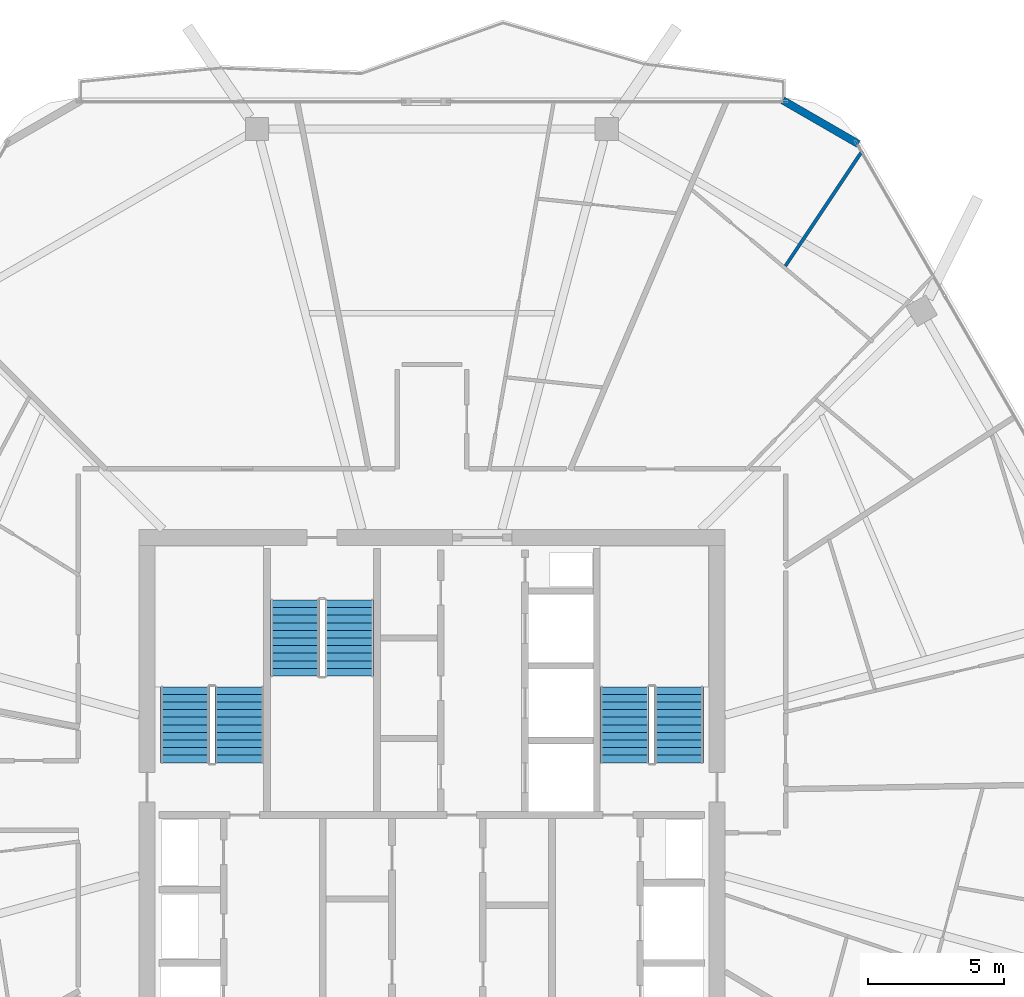
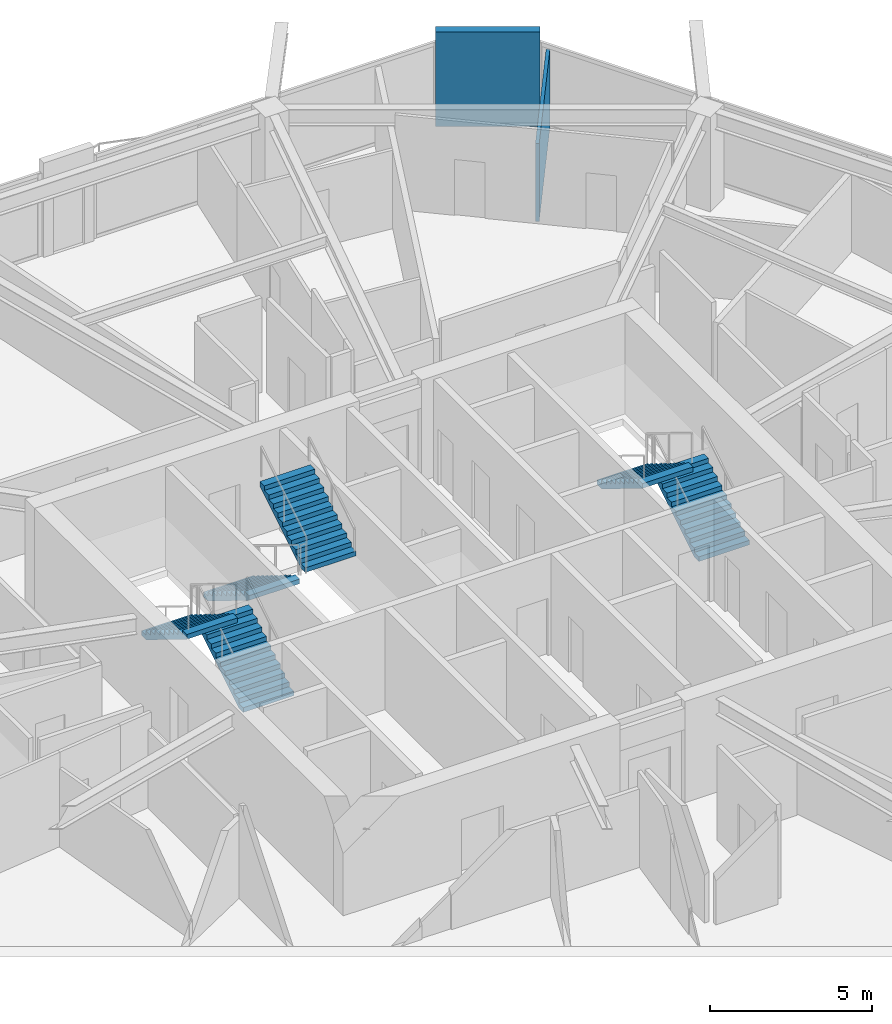
# One storey, part 24 of 26: 6 stair flights, 2 walls, 3 elements without a shape of their own.
"""IFC4 building model written with IfcOpenShell, lengths in metres."""

from ifc_helpers import new_model, si_unit, direction, frame, frame_2d, origin, place, context, subcontext, project, spatial, polyline, rectangle, outline, extrude, material, layer, layer_set, type_object, element, aggregate, save


model = new_model("IFC4")

# Units and contexts
model_context = context("Model", 3, precision=1e-05, world=origin(), true_north=direction((0.0, 1.0)))
body_context = subcontext(model_context, "Body", "Model", "MODEL_VIEW")
ifc_project = project(units=[si_unit("LENGTHUNIT", "METRE"), si_unit("AREAUNIT", "SQUARE_METRE"), si_unit("VOLUMEUNIT", "CUBIC_METRE"), si_unit("PLANEANGLEUNIT", "RADIAN"), si_unit("MASSUNIT", "GRAM", prefix="KILO")], contexts=[model_context])

# Site, building, storey
site_placement = place(None, origin())
site = spatial("IfcSite", under=ifc_project, at=site_placement, CompositionType="ELEMENT")
building_placement = place(site_placement, origin())
building = spatial("IfcBuilding", under=site, at=building_placement, Name="Zuhravey Tower", CompositionType="ELEMENT")
storey_placement = place(building_placement, frame((0.0, 0.0, 288.199951171875)))
storey = spatial("IfcBuildingStorey", under=building, at=storey_placement, Name="L73", CompositionType="ELEMENT", Elevation=288.199951171875)

# Walls
ifc_material_1 = material(Name="Precast concrete C40/50", Category="concrete")
ifc_layer_1 = layer(ifc_material_1, 0.280029296875)
ifc_layer_set_1 = layer_set([ifc_layer_1], Name="Precast concrete C40/50")
wall_type_1 = type_object("IfcWallType", Name="Crown Architectural Wall 280", PredefinedType="SOLIDWALL", material=ifc_layer_set_1)
wall_1_placement = place(storey_placement, frame((48.930419921875, 57.611083984375, 0.0), z_axis=(0.0, 0.0, 1.0), x_axis=(0.866028773314, -0.499994163758, 0.0)))
element("IfcWall", 1, at=wall_1_placement, inside=storey, type_object=wall_type_1, Name="L73 Rounded Corner Closure Wall EW28-10", PredefinedType="SOLIDWALL", context=body_context, shape_type="SweptSolid", body=[
    extrude(rectangle(XDim=3.21484375, YDim=0.280029296875, at=frame_2d((1.607421875, 0.0))), origin(), (0.0, 0.0, 1.0), 3.550048828125),
])
ifc_material_2 = material(Name="Gypsum metal-stud partition")
ifc_layer_2 = layer(ifc_material_2, 0.1201171875)
ifc_layer_set_2 = layer_set([ifc_layer_2], Name="Gypsum metal-stud partition")
wall_type_2 = type_object("IfcWallType", Name="Unit Internal Partition 120", PredefinedType="PARTITIONING", material=ifc_layer_set_2)
wall_2_placement = place(storey_placement, frame((49.024658203125, 51.50732421875, 0.0), z_axis=(0.0, 0.0, 1.0), x_axis=(0.555254005254, 0.83168082198, 0.0)))
element("IfcWall", 2, at=wall_2_placement, inside=storey, type_object=wall_type_2, Name="L73 IW12 Partition 097", PredefinedType="PARTITIONING", context=body_context, shape_type="SweptSolid", body=[
    extrude(rectangle(XDim=5.08544921875, YDim=0.1201171875, at=frame_2d((2.542724609375, 0.0))), origin(), (0.0, 0.0, 1.0), 2.929931640625),
])

# Stair, stair flights
ifc_material_3 = material(Name="Concrete C40/50", Category="concrete")
stair_type = type_object("IfcStairType", Name="Housing Storey Stair Assembly 3800", PredefinedType="HALF_TURN_STAIR", material=ifc_material_3)
stair_1_placement = place(storey_placement, origin())
stair_1 = element("IfcStair", 3, at=stair_1_placement, inside=storey, type_object=stair_type, Name="L73 Core Exit Stair ST1", PredefinedType="HALF_TURN_STAIR")
stair_flight_type = type_object("IfcStairFlightType", Name="Housing Storey Stair Flight 3800", PredefinedType="STRAIGHT", material=ifc_material_3)
stair_flight_1_placement = place(storey_placement, frame((28.89990234375, 33.199951171875, 0.0), z_axis=(0.0, 0.0, 1.0), x_axis=(0.0, 1.0, 0.0)))
stair_flight_1 = element("IfcStairFlight", 4, at=stair_flight_1_placement, type_object=stair_flight_type, Name="ST1 flight 1", NumberOfRisers=11, NumberOfTreads=10, PredefinedType="STRAIGHT", RiserHeight=0.172727273, TreadLength=0.28, context=body_context, shape_type="SweptSolid", body=[
    extrude(outline(polyline([(0.0, 0.0), (0.0, 0.172607421875), (0.280029296875, 0.172607421875), (0.280029296875, 0.345458984375), (0.56005859375, 0.345458984375), (0.56005859375, 0.51806640625), (0.840087890625, 0.51806640625), (0.840087890625, 0.69091796875), (1.1201171875, 0.69091796875), (1.1201171875, 0.863525390625), (1.39990234375, 0.863525390625), (1.39990234375, 1.036376953125), (1.679931640625, 1.036376953125), (1.679931640625, 1.208984375), (1.9599609375, 1.208984375), (1.9599609375, 1.3818359375), (2.239990234375, 1.3818359375), (2.239990234375, 1.554443359375), (2.52001953125, 1.554443359375), (2.52001953125, 1.727294921875), (2.800048828125, 1.727294921875), (2.800048828125, 1.89990234375), (2.800048828125, 1.551025390625), (0.285400390625, 0.0), (0.0, 0.0)])), frame((0.0, 0.89990234375, 0.0), z_axis=(0.0, -1.0, 0.0), x_axis=(1.0, 0.0, 0.0)), (0.0, 0.0, 1.0), 1.800048828125),
])
stair_flight_2_placement = place(storey_placement, frame((26.89990234375, 36.0, 1.900146484375), z_axis=(0.0, 0.0, 1.0), x_axis=(0.0, -1.0, 0.0)))
stair_flight_2 = element("IfcStairFlight", 5, at=stair_flight_2_placement, type_object=stair_flight_type, Name="ST1 flight 2", NumberOfRisers=11, NumberOfTreads=10, PredefinedType="STRAIGHT", RiserHeight=0.172727273, TreadLength=0.28, context=body_context, shape_type="SweptSolid", body=[
    extrude(outline(polyline([(0.0, 0.0), (0.0, 0.172607421875), (0.280029296875, 0.172607421875), (0.280029296875, 0.345458984375), (0.56005859375, 0.345458984375), (0.56005859375, 0.51806640625), (0.840087890625, 0.51806640625), (0.840087890625, 0.69091796875), (1.1201171875, 0.69091796875), (1.1201171875, 0.863525390625), (1.39990234375, 0.863525390625), (1.39990234375, 1.036376953125), (1.679931640625, 1.036376953125), (1.679931640625, 1.208984375), (1.9599609375, 1.208984375), (1.9599609375, 1.3818359375), (2.239990234375, 1.3818359375), (2.239990234375, 1.554443359375), (2.52001953125, 1.554443359375), (2.52001953125, 1.727294921875), (2.800048828125, 1.727294921875), (2.800048828125, 1.89990234375), (2.800048828125, 1.551025390625), (0.285400390625, 0.0), (0.0, 0.0)])), frame((0.0, 0.89990234375, 0.0), z_axis=(0.0, -1.0, 0.0), x_axis=(1.0, 0.0, 0.0)), (0.0, 0.0, 1.0), 1.800048828125),
])
aggregate(stair_1, [stair_flight_1, stair_flight_2])

stair_2_placement = place(storey_placement, origin())
stair_2 = element("IfcStair", 6, at=stair_2_placement, inside=storey, type_object=stair_type, Name="L73 Core Exit Stair ST2", PredefinedType="HALF_TURN_STAIR")
stair_flight_3_placement = place(storey_placement, frame((45.10009765625, 33.199951171875, 0.0), z_axis=(0.0, 0.0, 1.0), x_axis=(0.0, 1.0, 0.0)))
stair_flight_3 = element("IfcStairFlight", 7, at=stair_flight_3_placement, type_object=stair_flight_type, Name="ST2 flight 1", NumberOfRisers=11, NumberOfTreads=10, PredefinedType="STRAIGHT", RiserHeight=0.172727273, TreadLength=0.28, context=body_context, shape_type="SweptSolid", body=[
    extrude(outline(polyline([(0.0, 0.0), (0.0, 0.172607421875), (0.280029296875, 0.172607421875), (0.280029296875, 0.345458984375), (0.56005859375, 0.345458984375), (0.56005859375, 0.51806640625), (0.840087890625, 0.51806640625), (0.840087890625, 0.69091796875), (1.1201171875, 0.69091796875), (1.1201171875, 0.863525390625), (1.39990234375, 0.863525390625), (1.39990234375, 1.036376953125), (1.679931640625, 1.036376953125), (1.679931640625, 1.208984375), (1.9599609375, 1.208984375), (1.9599609375, 1.3818359375), (2.239990234375, 1.3818359375), (2.239990234375, 1.554443359375), (2.52001953125, 1.554443359375), (2.52001953125, 1.727294921875), (2.800048828125, 1.727294921875), (2.800048828125, 1.89990234375), (2.800048828125, 1.551025390625), (0.285400390625, 0.0), (0.0, 0.0)])), frame((0.0, 0.89990234375, 0.0), z_axis=(0.0, -1.0, 0.0), x_axis=(1.0, 0.0, 0.0)), (0.0, 0.0, 1.0), 1.800048828125),
])
stair_flight_4_placement = place(storey_placement, frame((43.10009765625, 36.0, 1.900146484375), z_axis=(0.0, 0.0, 1.0), x_axis=(0.0, -1.0, 0.0)))
stair_flight_4 = element("IfcStairFlight", 8, at=stair_flight_4_placement, type_object=stair_flight_type, Name="ST2 flight 2", NumberOfRisers=11, NumberOfTreads=10, PredefinedType="STRAIGHT", RiserHeight=0.172727273, TreadLength=0.28, context=body_context, shape_type="SweptSolid", body=[
    extrude(outline(polyline([(0.0, 0.0), (0.0, 0.172607421875), (0.280029296875, 0.172607421875), (0.280029296875, 0.345458984375), (0.56005859375, 0.345458984375), (0.56005859375, 0.51806640625), (0.840087890625, 0.51806640625), (0.840087890625, 0.69091796875), (1.1201171875, 0.69091796875), (1.1201171875, 0.863525390625), (1.39990234375, 0.863525390625), (1.39990234375, 1.036376953125), (1.679931640625, 1.036376953125), (1.679931640625, 1.208984375), (1.9599609375, 1.208984375), (1.9599609375, 1.3818359375), (2.239990234375, 1.3818359375), (2.239990234375, 1.554443359375), (2.52001953125, 1.554443359375), (2.52001953125, 1.727294921875), (2.800048828125, 1.727294921875), (2.800048828125, 1.89990234375), (2.800048828125, 1.551025390625), (0.285400390625, 0.0), (0.0, 0.0)])), frame((0.0, 0.89990234375, 0.0), z_axis=(0.0, -1.0, 0.0), x_axis=(1.0, 0.0, 0.0)), (0.0, 0.0, 1.0), 1.800048828125),
])
aggregate(stair_2, [stair_flight_3, stair_flight_4])

stair_3_placement = place(storey_placement, origin())
stair_3 = element("IfcStair", 9, at=stair_3_placement, inside=storey, type_object=stair_type, Name="L73 Core Exit Stair ST3", PredefinedType="HALF_TURN_STAIR")
stair_flight_5_placement = place(storey_placement, frame((30.949951171875, 39.199951171875, 0.0), z_axis=(0.0, 0.0, 1.0), x_axis=(0.0, -1.0, 0.0)))
stair_flight_5 = element("IfcStairFlight", 10, at=stair_flight_5_placement, type_object=stair_flight_type, Name="ST3 flight 1", NumberOfRisers=11, NumberOfTreads=10, PredefinedType="STRAIGHT", RiserHeight=0.172727273, TreadLength=0.28, context=body_context, shape_type="SweptSolid", body=[
    extrude(outline(polyline([(0.0, 0.0), (0.0, 0.172607421875), (0.280029296875, 0.172607421875), (0.280029296875, 0.345458984375), (0.56005859375, 0.345458984375), (0.56005859375, 0.51806640625), (0.840087890625, 0.51806640625), (0.840087890625, 0.69091796875), (1.1201171875, 0.69091796875), (1.1201171875, 0.863525390625), (1.39990234375, 0.863525390625), (1.39990234375, 1.036376953125), (1.679931640625, 1.036376953125), (1.679931640625, 1.208984375), (1.9599609375, 1.208984375), (1.9599609375, 1.3818359375), (2.239990234375, 1.3818359375), (2.239990234375, 1.554443359375), (2.52001953125, 1.554443359375), (2.52001953125, 1.727294921875), (2.800048828125, 1.727294921875), (2.800048828125, 1.89990234375), (2.800048828125, 1.551025390625), (0.285400390625, 0.0), (0.0, 0.0)])), frame((0.0, 0.89990234375, 0.0), z_axis=(0.0, -1.0, 0.0), x_axis=(1.0, 0.0, 0.0)), (0.0, 0.0, 1.0), 1.800048828125),
])
stair_flight_6_placement = place(storey_placement, frame((32.949951171875, 36.39990234375, 1.900146484375), z_axis=(0.0, 0.0, 1.0), x_axis=(0.0, 1.0, 0.0)))
stair_flight_6 = element("IfcStairFlight", 11, at=stair_flight_6_placement, type_object=stair_flight_type, Name="ST3 flight 2", NumberOfRisers=11, NumberOfTreads=10, PredefinedType="STRAIGHT", RiserHeight=0.172727273, TreadLength=0.28, context=body_context, shape_type="SweptSolid", body=[
    extrude(outline(polyline([(0.0, 0.0), (0.0, 0.172607421875), (0.280029296875, 0.172607421875), (0.280029296875, 0.345458984375), (0.56005859375, 0.345458984375), (0.56005859375, 0.51806640625), (0.840087890625, 0.51806640625), (0.840087890625, 0.69091796875), (1.1201171875, 0.69091796875), (1.1201171875, 0.863525390625), (1.39990234375, 0.863525390625), (1.39990234375, 1.036376953125), (1.679931640625, 1.036376953125), (1.679931640625, 1.208984375), (1.9599609375, 1.208984375), (1.9599609375, 1.3818359375), (2.239990234375, 1.3818359375), (2.239990234375, 1.554443359375), (2.52001953125, 1.554443359375), (2.52001953125, 1.727294921875), (2.800048828125, 1.727294921875), (2.800048828125, 1.89990234375), (2.800048828125, 1.551025390625), (0.285400390625, 0.0), (0.0, 0.0)])), frame((0.0, 0.89990234375, 0.0), z_axis=(0.0, -1.0, 0.0), x_axis=(1.0, 0.0, 0.0)), (0.0, 0.0, 1.0), 1.800048828125),
])
aggregate(stair_3, [stair_flight_5, stair_flight_6])

save(model, "model.ifc")
